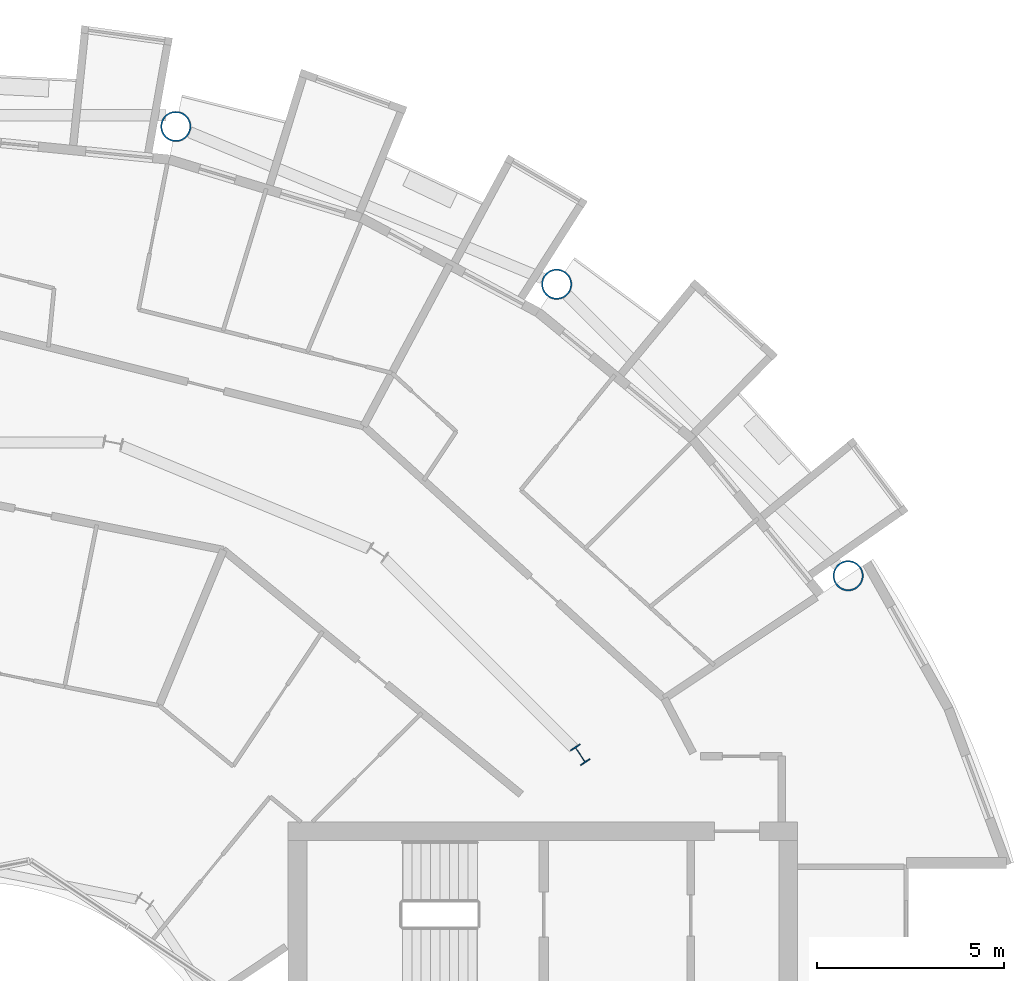
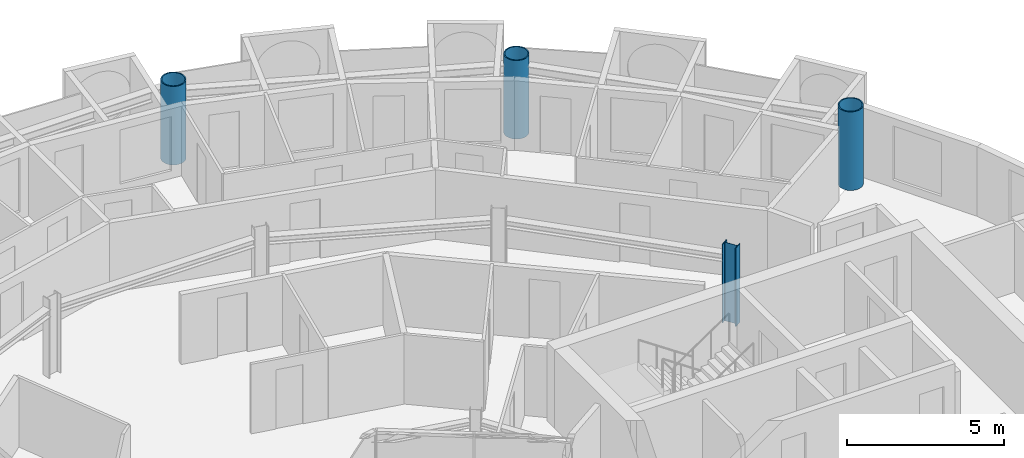
# One storey, part 4 of 26: 4 columns.
"""IFC4 building model written with IfcOpenShell, lengths in metres."""

from ifc_helpers import new_model, si_unit, direction, frame, origin, origin_2d, place, context, subcontext, project, spatial, hollow_circle, i_section, extrude, material, material_profile, profile_set, type_object, element, save


model = new_model("IFC4")

# Units and contexts
model_context = context("Model", 3, precision=1e-05, world=origin(), true_north=direction((0.0, 1.0)))
body_context = subcontext(model_context, "Body", "Model", "MODEL_VIEW")
ifc_project = project(units=[si_unit("LENGTHUNIT", "METRE"), si_unit("AREAUNIT", "SQUARE_METRE"), si_unit("VOLUMEUNIT", "CUBIC_METRE"), si_unit("PLANEANGLEUNIT", "RADIAN"), si_unit("MASSUNIT", "GRAM", prefix="KILO")], contexts=[model_context])

# Site, building, storey
site_placement = place(None, origin())
site = spatial("IfcSite", under=ifc_project, at=site_placement, CompositionType="ELEMENT")
building_placement = place(site_placement, origin())
building = spatial("IfcBuilding", under=site, at=building_placement, Name="Maasbend Ring Residences", CompositionType="ELEMENT")
storey_placement = place(building_placement, frame((0.0, 0.0, 161.60009765625)))
storey = spatial("IfcBuildingStorey", under=building, at=storey_placement, Name="L46", CompositionType="ELEMENT", Elevation=161.60009765625)

# Columns
ifc_material_1 = material(Name="Composite concrete-filled steel tube S460NH / C80/95", Category="concrete")
ifc_material_profile_1 = material_profile(ifc_material_1, hollow_circle(Radius=0.406494140625, WallThickness=0.0400390625, at=origin_2d()), Name="Composite tube column CHS 813x40")
ifc_profile_set_1 = profile_set([ifc_material_profile_1], Name="Composite concrete-filled steel tube S460NH / C80/95")
column_type_1 = type_object("IfcColumnType", Name="Composite tube column CHS 813x40", PredefinedType="COLUMN", material=ifc_profile_set_1)
for number, where, z_axis, x_axis, name in (
    (1, (23.447509765625, 15.6669921875, 0.0), (0.0, 0.0, 1.0), (1.0, 0.0, 0.0), "Outer column R2"),
    (2, (15.6669921875, 23.447509765625, 0.0), (0.0, 0.0, 1.0), (1.0, 0.0, 0.0), "Outer column R3"),
    (3, (5.50146484375, 27.658203125, 0.0), (0.0, 0.0, 1.0), (1.0, 0.0, 0.0), "Outer column R4"),
):
    element("IfcColumn", number, at=place(storey_placement, frame(where, z_axis=z_axis, x_axis=x_axis)), inside=storey, type_object=column_type_1, Name=name, PredefinedType="COLUMN", context=body_context, shape_type="SweptSolid", body=[
        extrude(hollow_circle(Radius=0.406494140625, WallThickness=0.0400390625, at=origin_2d()), origin(), (0.0, 0.0, 1.0), 3.0498046875),
    ])
ifc_material_2 = material(Name="Steel S355J2", Category="steel")
ifc_material_profile_2 = material_profile(ifc_material_2, i_section(OverallWidth=0.300048828125, OverallDepth=0.5, WebThickness=0.014404296875, FlangeThickness=0.028076171875, FilletRadius=0.027099609375, at=origin_2d()), Name="HEB 500")
ifc_profile_set_2 = profile_set([ifc_material_profile_2], Name="Steel S355J2")
column_type_2 = type_object("IfcColumnType", Name="Steel column HEB 500", PredefinedType="COLUMN", material=ifc_profile_set_2)
column_placement = place(storey_placement, frame((16.296875, 10.88916015625, 0.0), z_axis=(0.0, 0.0, 1.0), x_axis=(0.831469612303, 0.55557023302, 0.0)))
element("IfcColumn", 4, at=column_placement, inside=storey, type_object=column_type_2, Name="Corridor ring column R2", PredefinedType="COLUMN", context=body_context, shape_type="SweptSolid", body=[
    extrude(i_section(OverallWidth=0.300048828125, OverallDepth=0.5, WebThickness=0.014404296875, FlangeThickness=0.028076171875, FilletRadius=0.027099609375, at=origin_2d()), origin(), (0.0, 0.0, 1.0), 3.0498046875),
])

save(model, "model.ifc")
